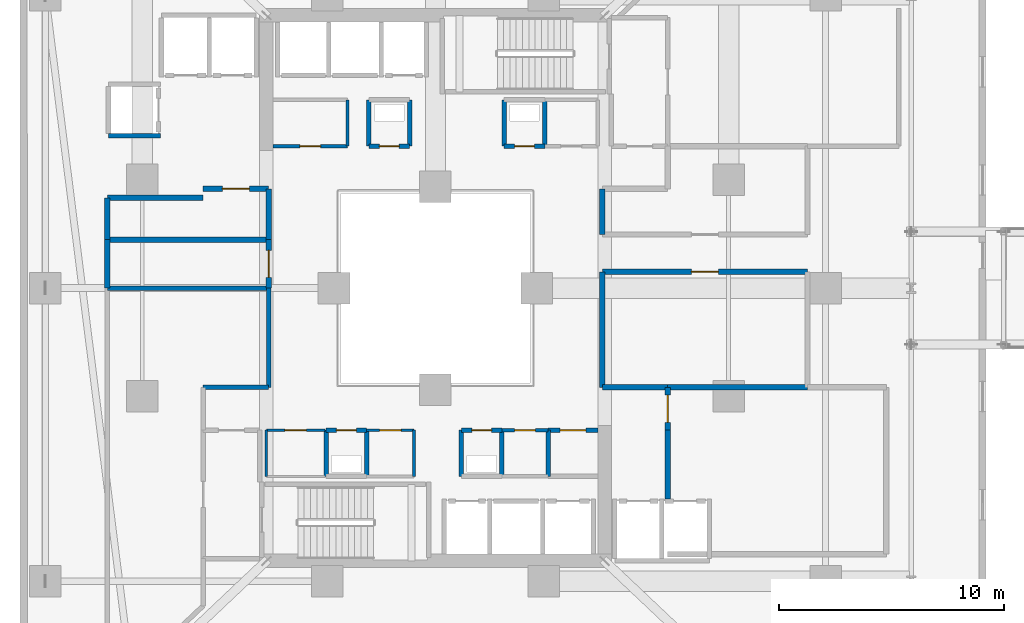
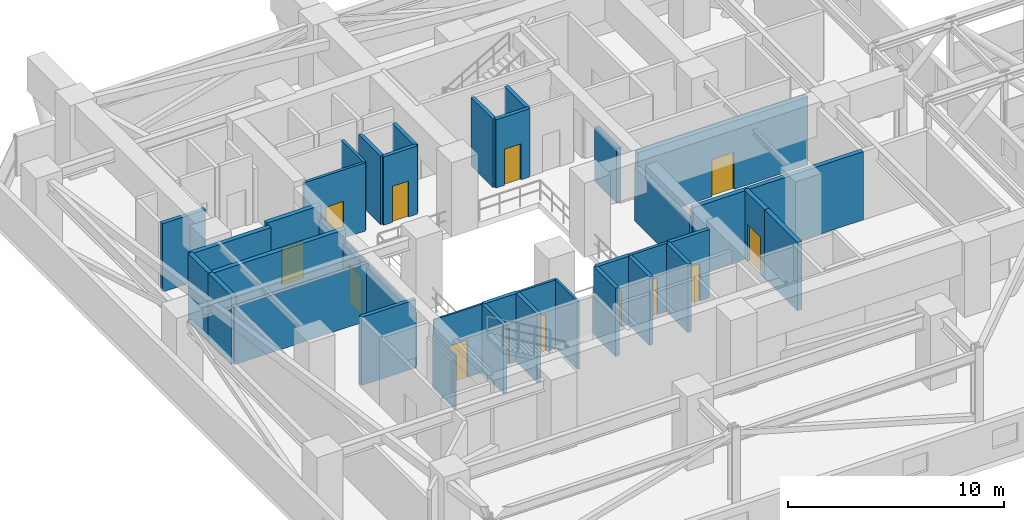
# One storey, part 30 of 38: 39 walls, 13 doors, 13 openings.
"""IFC4 building model written with IfcOpenShell, lengths in metres."""

import ifcopenshell
import ifcopenshell.guid

model = None  # the IFC model being written
_history = None  # IfcOwnerHistory: only IFC2X3 demands one
_inside = {}  # id of a spatial element -> (the spatial element, [elements in it])
_under = {}  # id of a project, library or spatial element -> (it, [spatial elements below it])
_declared = {}  # id of a project -> (the project, [libraries it declares])
_typed = {}  # id of a type object -> (the type object, [elements of that type])
_made_of = {}  # id of a material, layer set ... -> (it, [elements and type objects made of it])


def new_model(schema):
    """Start an empty IFC model of exactly this schema.

    Asked for "IFC4X3", IfcOpenShell would pick the latest addendum, in which some entities
    have other attributes; the version numbers below select the first issue.
    IFC2X3 requires an IfcOwnerHistory on every rooted entity: one is made here for all.
    """
    global model, _history
    if schema == "IFC4X3":
        model = ifcopenshell.file(schema_version=(4, 3, 0, 0))
    else:
        model = ifcopenshell.file(schema=schema)
    _inside.clear()
    _under.clear()
    _declared.clear()
    _typed.clear()
    _made_of.clear()
    _history = None
    if model.schema == "IFC2X3":
        org = make("IfcOrganization", Name="unknown")
        user = make(
            "IfcPersonAndOrganization",
            ThePerson=make("IfcPerson", FamilyName="unknown"),
            TheOrganization=org,
        )
        app = make(
            "IfcApplication",
            ApplicationDeveloper=org,
            Version="unknown",
            ApplicationFullName="unknown",
            ApplicationIdentifier="unknown",
        )
        _history = make(
            "IfcOwnerHistory",
            OwningUser=user,
            OwningApplication=app,
            ChangeAction="ADDED",
            CreationDate=0,
        )
    return model


def make(cls, **values):
    """One entity of the class cls with the attributes given. An attribute that is None is left unset."""
    return model.create_entity(
        cls, **{name: value for name, value in values.items() if value is not None}
    )


def rooted(cls, **values):
    """An entity with a GlobalId (a new one), such as an element, a storey or a relation."""
    return make(cls, GlobalId=ifcopenshell.guid.new(), OwnerHistory=_history, **values)


def si_unit(unit_type, name, prefix=None):
    """IfcSIUnit, for example si_unit("LENGTHUNIT", "METRE", prefix="MILLI")."""
    return make("IfcSIUnit", UnitType=unit_type, Prefix=prefix, Name=name)


def assignment(units):
    """IfcUnitAssignment: the units of a project."""
    return None if units is None else make("IfcUnitAssignment", Units=units)


def point(xyz):
    """IfcCartesianPoint."""
    return None if xyz is None else make("IfcCartesianPoint", Coordinates=xyz)


def direction(xyz):
    """IfcDirection."""
    return None if xyz is None else make("IfcDirection", DirectionRatios=xyz)


def frame(location, z_axis=None, x_axis=None):
    """IfcAxis2Placement3D, a coordinate frame: its origin and axes. An axis left out is left unset."""
    return make(
        "IfcAxis2Placement3D",
        Location=point(location),
        Axis=direction(z_axis),
        RefDirection=direction(x_axis),
    )


def frame_2d(location, x_axis=None):
    """IfcAxis2Placement2D, a coordinate frame in the plane: its origin and x axis."""
    return make(
        "IfcAxis2Placement2D", Location=point(location), RefDirection=direction(x_axis)
    )


def origin():
    """The frame at (0, 0, 0) with its axes left unset."""
    return frame((0.0, 0.0, 0.0))


def place(relative_to, where):
    """IfcLocalPlacement: puts the frame where relative to a parent placement (None: the world)."""
    return make(
        "IfcLocalPlacement", PlacementRelTo=relative_to, RelativePlacement=where
    )


def context(
    kind, dimensions, precision=None, world=None, true_north=None, identifier=None
):
    """IfcGeometricRepresentationContext, for example the 3D "Model" context."""
    return make(
        "IfcGeometricRepresentationContext",
        ContextIdentifier=identifier,
        ContextType=kind,
        CoordinateSpaceDimension=dimensions,
        Precision=precision,
        WorldCoordinateSystem=world,
        TrueNorth=true_north,
    )


def subcontext(parent, identifier, kind, view, scale=None):
    """IfcGeometricRepresentationSubContext, for example "Body" below "Model"."""
    return make(
        "IfcGeometricRepresentationSubContext",
        ContextIdentifier=identifier,
        ContextType=kind,
        ParentContext=parent,
        TargetScale=scale,
        TargetView=view,
    )


def project(units=None, contexts=None):
    """IfcProject with its units and contexts."""
    return rooted(
        "IfcProject",
        Name="project",
        RepresentationContexts=contexts,
        UnitsInContext=assignment(units),
    )


def spatial(cls, under=None, at=None, **own):
    """A site, building, storey or space (cls), placed at a placement, below another one or the project."""
    s = rooted(cls, ObjectPlacement=at, **own)
    if under is not None:
        _under.setdefault(under.id(), (under, []))[1].append(s)
    return s


def profile(cls, at=None, kind="AREA", **sizes):
    """A parametric profile (cls). Its sizes go by their IFC names, for example OverallWidth=200.0."""
    return make(cls, ProfileType=kind, Position=at, **sizes)


def rectangle(**sizes):
    """IfcRectangleProfileDef."""
    return profile("IfcRectangleProfileDef", **sizes)


def extrude(swept, where, along, depth):
    """IfcExtrudedAreaSolid: the profile swept, set in the frame where, extruded along a direction by depth."""
    return make(
        "IfcExtrudedAreaSolid",
        SweptArea=swept,
        Position=where,
        ExtrudedDirection=direction(along),
        Depth=depth,
    )


def shape(context_of_items, identifier, shape_type, items):
    """IfcShapeRepresentation: the items that make up one representation, for example the "Body"."""
    return make(
        "IfcShapeRepresentation",
        ContextOfItems=context_of_items,
        RepresentationIdentifier=identifier,
        RepresentationType=shape_type,
        Items=items,
    )


def material(Name=None, Category=None):
    """IfcMaterial."""
    return make("IfcMaterial", Name=Name, Category=Category)


def layer(
    of_material, thickness, ventilated=None, Name=None, Category=None, Priority=None
):
    """IfcMaterialLayer: one layer of a wall or slab, of a material (None: an air gap)."""
    return make(
        "IfcMaterialLayer",
        Material=of_material,
        LayerThickness=thickness,
        IsVentilated=ventilated,
        Name=Name,
        Category=Category,
        Priority=Priority,
    )


def layer_set(layers, Name=None):
    """IfcMaterialLayerSet."""
    return make("IfcMaterialLayerSet", MaterialLayers=layers, LayerSetName=Name)


def made_of(thing, what):
    """Note that an element or type object is made of a material, layer set ...; save() writes the relation."""
    if what is not None:
        _made_of.setdefault(what.id(), (what, []))[1].append(thing)
    return thing


def type_object(cls, material=None, **own):
    """A type object (cls), such as IfcWallType, which elements share."""
    return made_of(rooted(cls, **own), material)


def element(
    cls,
    number,
    at=None,
    inside=None,
    cuts=None,
    type_object=None,
    material=None,
    context=None,
    identifier="Body",
    shape_type=None,
    held_by="IfcProductDefinitionShape",
    body=None,
    shapes=None,
    **own,
):
    """One element of the class cls, such as IfcWall. Its Tag is "e" and its number.

    at: its placement. inside: the storey or other place that contains it. cuts: it is an
    opening in that element (IfcRelVoidsElement). A single representation is given by context,
    identifier, shape_type and body (its items); several are given by shapes. held_by: the class
    of the entity that holds the representations. save() writes the other relations.
    """
    e = rooted(cls, Tag="e%d" % number, ObjectPlacement=at, **own)
    if body is not None:
        shapes = [shape(context, identifier, shape_type, body)]
    if shapes is not None:
        e.Representation = make(held_by, Representations=shapes)
    if inside is not None:
        _inside.setdefault(inside.id(), (inside, []))[1].append(e)
    if cuts is not None:
        rooted(
            "IfcRelVoidsElement", RelatingBuildingElement=cuts, RelatedOpeningElement=e
        )
    if type_object is not None:
        _typed.setdefault(type_object.id(), (type_object, []))[1].append(e)
    return made_of(e, material)


def fill(opening, filler):
    """IfcRelFillsElement: the door or window that sits in an opening."""
    return rooted(
        "IfcRelFillsElement",
        RelatingOpeningElement=opening,
        RelatedBuildingElement=filler,
    )


def aggregate(whole, parts):
    """IfcRelAggregates: a whole, such as a stair, and the parts it consists of."""
    return rooted("IfcRelAggregates", RelatingObject=whole, RelatedObjects=parts)


def save(model, path):
    """Write the relations noted so far, then the file.

    IfcRelAggregates (storeys below a building ...), IfcRelContainedInSpatialStructure (elements
    in a storey), IfcRelDefinesByType, IfcRelAssociatesMaterial and IfcRelDeclares: one each for
    every whole, place, type object, material and project.
    """
    for whole, parts in _under.values():
        aggregate(whole, parts)
    for where, things in _inside.values():
        rooted(
            "IfcRelContainedInSpatialStructure",
            RelatedElements=things,
            RelatingStructure=where,
        )
    for kind, things in _typed.values():
        rooted("IfcRelDefinesByType", RelatedObjects=things, RelatingType=kind)
    for what, things in _made_of.values():
        rooted("IfcRelAssociatesMaterial", RelatedObjects=things, RelatingMaterial=what)
    for by, libraries in _declared.values():
        rooted("IfcRelDeclares", RelatingContext=by, RelatedDefinitions=libraries)
    model.write(path)


model = new_model("IFC4")

# Units and contexts
model_context = context("Model", 3, precision=1e-05, world=origin(), true_north=direction((0.0, 1.0)))
body_context = subcontext(model_context, "Body", "Model", "MODEL_VIEW")
ifc_project = project(units=[si_unit("LENGTHUNIT", "METRE"), si_unit("AREAUNIT", "SQUARE_METRE"), si_unit("VOLUMEUNIT", "CUBIC_METRE"), si_unit("PLANEANGLEUNIT", "RADIAN"), si_unit("MASSUNIT", "GRAM", prefix="KILO")], contexts=[model_context])

# Site, building, storey
site_placement = place(None, origin())
site = spatial("IfcSite", under=ifc_project, at=site_placement, CompositionType="ELEMENT")
building_placement = place(site_placement, origin())
building = spatial("IfcBuilding", under=site, at=building_placement, Name="Thornwick Lancets Civic Towers", CompositionType="ELEMENT")
storey_placement = place(building_placement, frame((0.0, 0.0, 71.699951171875)))
storey = spatial("IfcBuildingStorey", under=building, at=storey_placement, Name="L18", CompositionType="ELEMENT", Elevation=71.699951171875)

# Walls
ifc_material_1 = material(Name="Concrete blockwork C40/50", Category="masonry")
ifc_layer_1 = layer(ifc_material_1, 0.199951171875, Name="Concrete blockwork C40/50")
ifc_layer_set_1 = layer_set([ifc_layer_1], Name="Concrete blockwork C40/50")
wall_type_1 = type_object("IfcWallType", Name="WALL_COMP_200", PredefinedType="STANDARD", material=ifc_layer_set_1)
wall_1_placement = place(storey_placement, frame((11.001953125, 33.75, 0.0), z_axis=(0.0, 0.0, 1.0), x_axis=(1.0, 0.0, 0.0)))
element("IfcWall", 1, at=wall_1_placement, inside=storey, type_object=wall_type_1, Name="L18 Hoistway Shaft Wall PL-AM3 S", PredefinedType="STANDARD", context=body_context, shape_type="SweptSolid", body=[
    extrude(rectangle(XDim=2.296142578125, YDim=0.199951171875, at=frame_2d((1.14794921875, 0.0))), origin(), (0.0, 0.0, 1.0), 3.860107421875),
])
wall_2_placement = place(storey_placement, frame((28.449951171875, 18.64990234375, 0.0), z_axis=(0.0, 0.0, 1.0), x_axis=(0.0, 1.0, 0.0)))
element("IfcWall", 2, at=wall_2_placement, inside=storey, type_object=wall_type_1, Name="L18 Partition L18-A-DUCT1 E2", PredefinedType="STANDARD", context=body_context, shape_type="SweptSolid", body=[
    extrude(rectangle(XDim=2.050048828125, YDim=0.199951171875, at=frame_2d((1.02490234375, 0.0))), origin(), (0.0, 0.0, 1.0), 3.860107421875),
])

# Wall, opening, door
wall_3_placement = place(storey_placement, frame((28.449951171875, 20.699951171875, 0.0), z_axis=(0.0, 0.0, 1.0), x_axis=(-1.0, 0.0, 0.0)))
wall_3 = element("IfcWall", 3, at=wall_3_placement, inside=storey, type_object=wall_type_1, Name="L18 Partition L18-A-DUCT1 E3", PredefinedType="STANDARD", context=body_context, shape_type="SweptSolid", body=[
    extrude(rectangle(XDim=1.800048828125, YDim=0.199951171875, at=frame_2d((0.89990234375, 0.0))), origin(), (0.0, 0.0, 1.0), 3.860107421875),
])
opening_1_placement = place(wall_3_placement, frame((0.4599609375, 0.0, 0.0)))
opening_1 = element("IfcOpeningElement", 4, at=opening_1_placement, cuts=wall_3, Name="Opening D-L18-0851", PredefinedType="OPENING", context=body_context, shape_type="SweptSolid", body=[
    extrude(rectangle(XDim=0.8798828125, YDim=2.0400390625, at=frame_2d((0.43994140625, 1.02001953125))), frame((0.0, 0.10986328125, 0.0), z_axis=(0.0, -1.0, 0.0), x_axis=(1.0, 0.0, 0.0)), (0.0, 0.0, 1.0), 0.219970703125),
])
ifc_material_2 = material(Name="Steel riser access doorset", Category="steel")
door_type_1 = type_object("IfcDoorType", Name="DOOR_RISER_850", OperationType="NOTDEFINED", PredefinedType="DOOR", material=ifc_material_2)
door_1_placement = place(opening_1_placement, origin())
door_1 = element("IfcDoor", 5, at=door_1_placement, inside=storey, type_object=door_type_1, Name="L18 South Service Duct 1 Door", OperationType="SINGLE_SWING_RIGHT", OverallHeight=2.0400390625, OverallWidth=0.8798828125, PredefinedType="DOOR", context=body_context, shape_type="SweptSolid", body=[
    extrude(rectangle(XDim=0.8798828125, YDim=2.0400390625, at=frame_2d((0.43994140625, 1.02001953125))), frame((0.0, 0.02490234375, 0.0), z_axis=(0.0, -1.0, 0.0), x_axis=(1.0, 0.0, 0.0)), (0.0, 0.0, 1.0), 0.050048828125),
])
fill(opening_1, door_1)

# Walls
for number, where, z_axis, x_axis, name in (
    (6, (26.64990234375, 20.699951171875, 0.0), (0.0, 0.0, 1.0), (0.0, -1.0, 0.0), "L18 Partition L18-A-DUCT1 E4"),
    (7, (22.449951171875, 18.64990234375, 0.0), (0.0, 0.0, 1.0), (0.0, 1.0, 0.0), "L18 Partition L18-A-RISER1 E2"),
):
    element("IfcWall", number, at=place(storey_placement, frame(where, z_axis=z_axis, x_axis=x_axis)), inside=storey, type_object=wall_type_1, Name=name, PredefinedType="STANDARD", context=body_context, shape_type="SweptSolid", body=[
        extrude(rectangle(XDim=2.050048828125, YDim=0.199951171875, at=frame_2d((1.02490234375, 0.0))), origin(), (0.0, 0.0, 1.0), 3.860107421875),
    ])

# Wall, opening, door
wall_4_placement = place(storey_placement, frame((22.449951171875, 20.699951171875, 0.0), z_axis=(0.0, 0.0, 1.0), x_axis=(-1.0, 0.0, 0.0)))
wall_4 = element("IfcWall", 8, at=wall_4_placement, inside=storey, type_object=wall_type_1, Name="L18 Partition L18-A-RISER1 E3", PredefinedType="STANDARD", context=body_context, shape_type="SweptSolid", body=[
    extrude(rectangle(XDim=1.800048828125, YDim=0.199951171875, at=frame_2d((0.89990234375, 0.0))), origin(), (0.0, 0.0, 1.0), 3.860107421875),
])
opening_2_placement = place(wall_4_placement, frame((0.4599609375, 0.0, 0.0)))
opening_2 = element("IfcOpeningElement", 9, at=opening_2_placement, cuts=wall_4, Name="Opening D-L18-0852", PredefinedType="OPENING", context=body_context, shape_type="SweptSolid", body=[
    extrude(rectangle(XDim=0.8798828125, YDim=2.0400390625, at=frame_2d((0.43994140625, 1.02001953125))), frame((0.0, 0.10986328125, 0.0), z_axis=(0.0, -1.0, 0.0), x_axis=(1.0, 0.0, 0.0)), (0.0, 0.0, 1.0), 0.219970703125),
])
door_2_placement = place(opening_2_placement, origin())
door_2 = element("IfcDoor", 10, at=door_2_placement, inside=storey, type_object=door_type_1, Name="L18 South Electrical Riser 1 Door", OperationType="SINGLE_SWING_LEFT", OverallHeight=2.0400390625, OverallWidth=0.8798828125, PredefinedType="DOOR", context=body_context, shape_type="SweptSolid", body=[
    extrude(rectangle(XDim=0.8798828125, YDim=2.0400390625, at=frame_2d((0.43994140625, 1.02001953125))), frame((0.0, 0.02490234375, 0.0), z_axis=(0.0, -1.0, 0.0), x_axis=(1.0, 0.0, 0.0)), (0.0, 0.0, 1.0), 0.050048828125),
])
fill(opening_2, door_2)

# Wall
wall_5_placement = place(storey_placement, frame((20.64990234375, 20.699951171875, 0.0), z_axis=(0.0, 0.0, 1.0), x_axis=(0.0, -1.0, 0.0)))
element("IfcWall", 11, at=wall_5_placement, inside=storey, type_object=wall_type_1, Name="L18 Partition L18-A-RISER1 E4", PredefinedType="STANDARD", context=body_context, shape_type="SweptSolid", body=[
    extrude(rectangle(XDim=2.050048828125, YDim=0.199951171875, at=frame_2d((1.02490234375, 0.0))), origin(), (0.0, 0.0, 1.0), 3.860107421875),
])

# Wall, opening, door
wall_6_placement = place(storey_placement, frame((22.550048828125, 33.300048828125, 0.0), z_axis=(0.0, 0.0, 1.0), x_axis=(1.0, 0.0, 0.0)))
wall_6 = element("IfcWall", 12, at=wall_6_placement, inside=storey, type_object=wall_type_1, Name="L18 Partition L18-A-DUCT2 E1", PredefinedType="STANDARD", context=body_context, shape_type="SweptSolid", body=[
    extrude(rectangle(XDim=1.800048828125, YDim=0.199951171875, at=frame_2d((0.89990234375, 0.0))), origin(), (0.0, 0.0, 1.0), 3.860107421875),
])
opening_3_placement = place(wall_6_placement, frame((0.4599609375, 0.0, 0.0)))
opening_3 = element("IfcOpeningElement", 13, at=opening_3_placement, cuts=wall_6, Name="Opening D-L18-0853", PredefinedType="OPENING", context=body_context, shape_type="SweptSolid", body=[
    extrude(rectangle(XDim=0.8798828125, YDim=2.0400390625, at=frame_2d((0.43994140625, 1.02001953125))), frame((0.0, 0.10986328125, 0.0), z_axis=(0.0, -1.0, 0.0), x_axis=(1.0, 0.0, 0.0)), (0.0, 0.0, 1.0), 0.219970703125),
])
door_3_placement = place(opening_3_placement, origin())
door_3 = element("IfcDoor", 14, at=door_3_placement, inside=storey, type_object=door_type_1, Name="L18 North Service Duct 2 Door", OperationType="SINGLE_SWING_RIGHT", OverallHeight=2.0400390625, OverallWidth=0.8798828125, PredefinedType="DOOR", context=body_context, shape_type="SweptSolid", body=[
    extrude(rectangle(XDim=0.8798828125, YDim=2.0400390625, at=frame_2d((0.43994140625, 1.02001953125))), frame((0.0, 0.02490234375, 0.0), z_axis=(0.0, -1.0, 0.0), x_axis=(1.0, 0.0, 0.0)), (0.0, 0.0, 1.0), 0.050048828125),
])
fill(opening_3, door_3)

# Walls
for number, where, z_axis, x_axis, name in (
    (15, (24.35009765625, 33.300048828125, 0.0), (0.0, 0.0, 1.0), (0.0, 1.0, 0.0), "L18 Partition L18-A-DUCT2 E2"),
    (16, (22.550048828125, 35.35009765625, 0.0), (0.0, 0.0, 1.0), (0.0, -1.0, 0.0), "L18 Partition L18-A-DUCT2 E4"),
):
    element("IfcWall", number, at=place(storey_placement, frame(where, z_axis=z_axis, x_axis=x_axis)), inside=storey, type_object=wall_type_1, Name=name, PredefinedType="STANDARD", context=body_context, shape_type="SweptSolid", body=[
        extrude(rectangle(XDim=2.050048828125, YDim=0.199951171875, at=frame_2d((1.02490234375, 0.0))), origin(), (0.0, 0.0, 1.0), 3.860107421875),
    ])

# Wall, opening, door
wall_7_placement = place(storey_placement, frame((28.550048828125, 33.300048828125, 0.0), z_axis=(0.0, 0.0, 1.0), x_axis=(1.0, 0.0, 0.0)))
wall_7 = element("IfcWall", 17, at=wall_7_placement, inside=storey, type_object=wall_type_1, Name="L18 Partition L18-A-RISER2 E1", PredefinedType="STANDARD", context=body_context, shape_type="SweptSolid", body=[
    extrude(rectangle(XDim=1.800048828125, YDim=0.199951171875, at=frame_2d((0.89990234375, 0.0))), origin(), (0.0, 0.0, 1.0), 3.860107421875),
])
opening_4_placement = place(wall_7_placement, frame((0.4599609375, 0.0, 0.0)))
opening_4 = element("IfcOpeningElement", 18, at=opening_4_placement, cuts=wall_7, Name="Opening D-L18-0854", PredefinedType="OPENING", context=body_context, shape_type="SweptSolid", body=[
    extrude(rectangle(XDim=0.8798828125, YDim=2.0400390625, at=frame_2d((0.43994140625, 1.02001953125))), frame((0.0, 0.10986328125, 0.0), z_axis=(0.0, -1.0, 0.0), x_axis=(1.0, 0.0, 0.0)), (0.0, 0.0, 1.0), 0.219970703125),
])
door_4_placement = place(opening_4_placement, origin())
door_4 = element("IfcDoor", 19, at=door_4_placement, inside=storey, type_object=door_type_1, Name="L18 North Service Riser 2 Door", OperationType="SINGLE_SWING_LEFT", OverallHeight=2.0400390625, OverallWidth=0.8798828125, PredefinedType="DOOR", context=body_context, shape_type="SweptSolid", body=[
    extrude(rectangle(XDim=0.8798828125, YDim=2.0400390625, at=frame_2d((0.43994140625, 1.02001953125))), frame((0.0, 0.02490234375, 0.0), z_axis=(0.0, -1.0, 0.0), x_axis=(1.0, 0.0, 0.0)), (0.0, 0.0, 1.0), 0.050048828125),
])
fill(opening_4, door_4)

# Walls
for number, where, z_axis, x_axis, name in (
    (20, (30.35009765625, 33.300048828125, 0.0), (0.0, 0.0, 1.0), (0.0, 1.0, 0.0), "L18 Partition L18-A-RISER2 E2"),
    (21, (28.550048828125, 35.35009765625, 0.0), (0.0, 0.0, 1.0), (0.0, -1.0, 0.0), "L18 Partition L18-A-RISER2 E4"),
    (22, (30.5, 18.64990234375, 0.0), (0.0, 0.0, 1.0), (0.0, 1.0, 0.0), "L18 Partition L18-A-STR2 E3"),
):
    element("IfcWall", number, at=place(storey_placement, frame(where, z_axis=z_axis, x_axis=x_axis)), inside=storey, type_object=wall_type_1, Name=name, PredefinedType="STANDARD", context=body_context, shape_type="SweptSolid", body=[
        extrude(rectangle(XDim=2.050048828125, YDim=0.199951171875, at=frame_2d((1.02490234375, 0.0))), origin(), (0.0, 0.0, 1.0), 3.860107421875),
    ])

# Wall, opening, door
wall_8_placement = place(storey_placement, frame((30.5, 20.699951171875, 0.0), z_axis=(0.0, 0.0, 1.0), x_axis=(1.0, 0.0, 0.0)))
wall_8 = element("IfcWall", 23, at=wall_8_placement, inside=storey, type_object=wall_type_1, Name="L18 Partition L18-A-STR2 E4", PredefinedType="STANDARD", context=body_context, shape_type="SweptSolid", body=[
    extrude(rectangle(XDim=2.199951171875, YDim=0.199951171875, at=frame_2d((1.10009765625, 0.0))), origin(), (0.0, 0.0, 1.0), 3.860107421875),
])
opening_5_placement = place(wall_8_placement, frame((0.52490234375, 0.0, 0.0)))
opening_5 = element("IfcOpeningElement", 24, at=opening_5_placement, cuts=wall_8, Name="Opening D-L18-0858", PredefinedType="OPENING", context=body_context, shape_type="SweptSolid", body=[
    extrude(rectangle(XDim=1.14990234375, YDim=2.10009765625, at=frame_2d((0.574951171875, 1.050048828125))), frame((0.0, 0.10986328125, 0.0), z_axis=(0.0, -1.0, 0.0), x_axis=(1.0, 0.0, 0.0)), (0.0, 0.0, 1.0), 0.219970703125),
])
ifc_material_3 = material(Name="Glazed fire-resisting steel", Category="steel")
door_type_2 = type_object("IfcDoorType", Name="DOOR_LOBBY_FD60", OperationType="NOTDEFINED", PredefinedType="DOOR", material=ifc_material_3)
door_5_placement = place(opening_5_placement, origin())
door_5 = element("IfcDoor", 25, at=door_5_placement, inside=storey, type_object=door_type_2, Name="L18 Tower A Core Supplies Store Door", OperationType="SINGLE_SWING_LEFT", OverallHeight=2.10009765625, OverallWidth=1.14990234375, PredefinedType="DOOR", context=body_context, shape_type="SweptSolid", body=[
    extrude(rectangle(XDim=1.14990234375, YDim=2.10009765625, at=frame_2d((0.574951171875, 1.050048828125))), frame((0.0, 0.02490234375, 0.0), z_axis=(0.0, -1.0, 0.0), x_axis=(1.0, 0.0, 0.0)), (0.0, 0.0, 1.0), 0.050048828125),
])
fill(opening_5, door_5)

# Walls
wall_9_placement = place(storey_placement, frame((18.10009765625, 22.60009765625, 0.0), z_axis=(0.0, 0.0, 1.0), x_axis=(-1.0, 0.0, 0.0)))
element("IfcWall", 26, at=wall_9_placement, inside=storey, type_object=wall_type_1, Name="L18 Partition L18-A-REF1 E1", PredefinedType="STANDARD", context=body_context, shape_type="SweptSolid", body=[
    extrude(rectangle(XDim=2.900146484375, YDim=0.199951171875, at=frame_2d((1.4501953125, 0.0))), origin(), (0.0, 0.0, 1.0), 3.860107421875),
])
wall_10_placement = place(storey_placement, frame((10.949951171875, 27.0, 0.0), z_axis=(0.0, 0.0, 1.0), x_axis=(1.0, 0.0, 0.0)))
element("IfcWall", 27, at=wall_10_placement, inside=storey, type_object=wall_type_1, Name="L18 Partition L18-A-REF1 E7", PredefinedType="STANDARD", context=body_context, shape_type="SweptSolid", body=[
    extrude(rectangle(XDim=7.150146484375, YDim=0.199951171875, at=frame_2d((3.5751953125, 0.0))), origin(), (0.0, 0.0, 1.0), 3.244873046875),
])
wall_11_placement = place(storey_placement, frame((18.10009765625, 27.0, 0.0), z_axis=(0.0, 0.0, 1.0), x_axis=(0.0, -1.0, 0.0)))
element("IfcWall", 28, at=wall_11_placement, inside=storey, type_object=wall_type_1, Name="L18 Partition L18-A-REF1 E8", PredefinedType="STANDARD", context=body_context, shape_type="SweptSolid", body=[
    extrude(rectangle(XDim=4.39990234375, YDim=0.199951171875, at=frame_2d((2.199951171875, 0.0))), origin(), (0.0, 0.0, 1.0), 3.06494140625),
])

# Wall, opening, door
ifc_layer_2 = layer(ifc_material_1, 0.239990234375, Name="Concrete blockwork C40/50")
ifc_layer_set_2 = layer_set([ifc_layer_2], Name="Concrete blockwork C40/50")
wall_type_2 = type_object("IfcWallType", Name="WALL_COMP_240", PredefinedType="STANDARD", material=ifc_layer_set_2)
wall_12_placement = place(storey_placement, frame((32.89990234375, 27.719970703125, 0.0), z_axis=(0.0, 0.0, 1.0), x_axis=(1.0, 0.0, 0.0)))
wall_12 = element("IfcWall", 29, at=wall_12_placement, inside=storey, type_object=wall_type_2, Name="L18 Partition L18-A-PL-SMK E1", PredefinedType="STANDARD", context=body_context, shape_type="SweptSolid", body=[
    extrude(rectangle(XDim=9.10009765625, YDim=0.239990234375, at=frame_2d((4.550048828125, 0.0))), origin(), (0.0, 0.0, 1.0), 3.860107421875),
])
opening_6_placement = place(wall_12_placement, frame((3.949951171875, 0.0, 0.0)))
opening_6 = element("IfcOpeningElement", 30, at=opening_6_placement, cuts=wall_12, Name="Opening D-L18-0873", PredefinedType="OPENING", context=body_context, shape_type="SweptSolid", body=[
    extrude(rectangle(XDim=1.199951171875, YDim=2.10009765625, at=frame_2d((0.60009765625, 1.050048828125))), frame((0.0, 0.1298828125, 0.0), z_axis=(0.0, -1.0, 0.0), x_axis=(1.0, 0.0, 0.0)), (0.0, 0.0, 1.0), 0.260009765625),
])
ifc_material_4 = material(Name="Steel plant room doorset", Category="steel")
door_type_3 = type_object("IfcDoorType", Name="DOOR_PLANT_1200", OperationType="NOTDEFINED", PredefinedType="DOOR", material=ifc_material_4)
door_6_placement = place(opening_6_placement, origin())
door_6 = element("IfcDoor", 31, at=door_6_placement, inside=storey, type_object=door_type_3, Name="L18 Tower A Smoke Extract Fan Plant Room Door", OperationType="SINGLE_SWING_RIGHT", OverallHeight=2.10009765625, OverallWidth=1.199951171875, PredefinedType="DOOR", context=body_context, shape_type="SweptSolid", body=[
    extrude(rectangle(XDim=1.199951171875, YDim=2.10009765625, at=frame_2d((0.60009765625, 1.050048828125))), frame((0.0, 0.02490234375, 0.0), z_axis=(0.0, -1.0, 0.0), x_axis=(1.0, 0.0, 0.0)), (0.0, 0.0, 1.0), 0.050048828125),
])
fill(opening_6, door_6)

# Walls
wall_13_placement = place(storey_placement, frame((42.0, 22.60009765625, 0.0), z_axis=(0.0, 0.0, 1.0), x_axis=(-1.0, 0.0, 0.0)))
element("IfcWall", 32, at=wall_13_placement, inside=storey, type_object=wall_type_2, Name="L18 Partition L18-A-PL-SMK E3", PredefinedType="STANDARD", context=body_context, shape_type="SweptSolid", body=[
    extrude(rectangle(XDim=6.199951171875, YDim=0.239990234375, at=frame_2d((3.10009765625, 0.0))), origin(), (0.0, 0.0, 1.0), 3.860107421875),
])
wall_14_placement = place(storey_placement, frame((35.800048828125, 22.60009765625, 0.0), z_axis=(0.0, 0.0, 1.0), x_axis=(-1.0, 0.0, 0.0)))
element("IfcWall", 33, at=wall_14_placement, inside=storey, type_object=wall_type_2, Name="L18 Partition L18-A-PL-SMK E4", PredefinedType="STANDARD", context=body_context, shape_type="SweptSolid", body=[
    extrude(rectangle(XDim=2.900146484375, YDim=0.239990234375, at=frame_2d((1.4501953125, 0.0))), origin(), (0.0, 0.0, 1.0), 3.860107421875),
])
wall_15_placement = place(storey_placement, frame((32.89990234375, 22.60009765625, 0.0), z_axis=(0.0, 0.0, 1.0), x_axis=(0.0, 1.0, 0.0)))
element("IfcWall", 34, at=wall_15_placement, inside=storey, type_object=wall_type_2, Name="L18 Partition L18-A-PL-SMK E5", PredefinedType="STANDARD", context=body_context, shape_type="SweptSolid", body=[
    extrude(rectangle(XDim=5.119873046875, YDim=0.239990234375, at=frame_2d((2.56005859375, 0.0))), origin(), (0.0, 0.0, 1.0), 3.06494140625),
])
wall_16_placement = place(storey_placement, frame((32.89990234375, 29.3798828125, 0.0), z_axis=(0.0, 0.0, 1.0), x_axis=(0.0, 1.0, 0.0)))
element("IfcWall", 35, at=wall_16_placement, inside=storey, type_object=wall_type_2, Name="L18 Partition L18-A-PL-PRS E6", PredefinedType="STANDARD", context=body_context, shape_type="SweptSolid", body=[
    extrude(rectangle(XDim=2.02001953125, YDim=0.239990234375, at=frame_2d((1.010009765625, 0.0))), origin(), (0.0, 0.0, 1.0), 3.06494140625),
])
wall_17_placement = place(storey_placement, frame((10.949951171875, 27.0, 0.0), z_axis=(0.0, 0.0, 1.0), x_axis=(0.0, 1.0, 0.0)))
element("IfcWall", 36, at=wall_17_placement, inside=storey, type_object=wall_type_2, Name="L18 Partition L18-A-PL-AHU E2", PredefinedType="STANDARD", context=body_context, shape_type="SweptSolid", body=[
    extrude(rectangle(XDim=2.14990234375, YDim=0.239990234375, at=frame_2d((1.074951171875, 0.0))), origin(), (0.0, 0.0, 1.0), 3.860107421875),
])
wall_18_placement = place(storey_placement, frame((10.949951171875, 29.14990234375, 0.0), z_axis=(0.0, 0.0, 1.0), x_axis=(1.0, 0.0, 0.0)))
element("IfcWall", 37, at=wall_18_placement, inside=storey, type_object=wall_type_2, Name="L18 Partition L18-A-PL-AHU E3", PredefinedType="STANDARD", context=body_context, shape_type="SweptSolid", body=[
    extrude(rectangle(XDim=7.150146484375, YDim=0.239990234375, at=frame_2d((3.5751953125, 0.0))), origin(), (0.0, 0.0, 1.0), 3.860107421875),
])

# Wall, opening, door
wall_19_placement = place(storey_placement, frame((18.10009765625, 29.14990234375, 0.0), z_axis=(0.0, 0.0, 1.0), x_axis=(0.0, -1.0, 0.0)))
wall_19 = element("IfcWall", 38, at=wall_19_placement, inside=storey, type_object=wall_type_2, Name="L18 Partition L18-A-PL-AHU E4", PredefinedType="STANDARD", context=body_context, shape_type="SweptSolid", body=[
    extrude(rectangle(XDim=2.14990234375, YDim=0.239990234375, at=frame_2d((1.074951171875, 0.0))), origin(), (0.0, 0.0, 1.0), 3.06494140625),
])
opening_7_placement = place(wall_19_placement, frame((0.47509765625, 0.0, 0.0)))
opening_7 = element("IfcOpeningElement", 39, at=opening_7_placement, cuts=wall_19, Name="Opening D-L18-0877", PredefinedType="OPENING", context=body_context, shape_type="SweptSolid", body=[
    extrude(rectangle(XDim=1.199951171875, YDim=2.10009765625, at=frame_2d((0.60009765625, 1.050048828125))), frame((0.0, 0.1298828125, 0.0), z_axis=(0.0, -1.0, 0.0), x_axis=(1.0, 0.0, 0.0)), (0.0, 0.0, 1.0), 0.260009765625),
])
door_7_placement = place(opening_7_placement, origin())
door_7 = element("IfcDoor", 40, at=door_7_placement, inside=storey, type_object=door_type_3, Name="L18 Tower A AHU and Ventilation Plant Room Door", OperationType="SINGLE_SWING_RIGHT", OverallHeight=2.10009765625, OverallWidth=1.199951171875, PredefinedType="DOOR", context=body_context, shape_type="SweptSolid", body=[
    extrude(rectangle(XDim=1.199951171875, YDim=2.10009765625, at=frame_2d((0.60009765625, 1.050048828125))), frame((0.0, 0.02490234375, 0.0), z_axis=(0.0, -1.0, 0.0), x_axis=(1.0, 0.0, 0.0)), (0.0, 0.0, 1.0), 0.050048828125),
])
fill(opening_7, door_7)

wall_20_placement = place(storey_placement, frame((15.199951171875, 31.39990234375, 0.0), z_axis=(0.0, 0.0, 1.0), x_axis=(1.0, 0.0, 0.0)))
wall_20 = element("IfcWall", 41, at=wall_20_placement, inside=storey, type_object=wall_type_2, Name="L18 Partition L18-A-PL-ELC E1", PredefinedType="STANDARD", context=body_context, shape_type="SweptSolid", body=[
    extrude(rectangle(XDim=2.900146484375, YDim=0.239990234375, at=frame_2d((1.4501953125, 0.0))), origin(), (0.0, 0.0, 1.0), 3.860107421875),
])
opening_8_placement = place(wall_20_placement, frame((0.85009765625, 0.0, 0.0)))
opening_8 = element("IfcOpeningElement", 42, at=opening_8_placement, cuts=wall_20, Name="Opening D-L18-0878", PredefinedType="OPENING", context=body_context, shape_type="SweptSolid", body=[
    extrude(rectangle(XDim=1.199951171875, YDim=2.10009765625, at=frame_2d((0.60009765625, 1.050048828125))), frame((0.0, 0.1298828125, 0.0), z_axis=(0.0, -1.0, 0.0), x_axis=(1.0, 0.0, 0.0)), (0.0, 0.0, 1.0), 0.260009765625),
])
door_8_placement = place(opening_8_placement, origin())
door_8 = element("IfcDoor", 43, at=door_8_placement, inside=storey, type_object=door_type_3, Name="L18 Tower A LV Switchgear Room Door", OperationType="SINGLE_SWING_LEFT", OverallHeight=2.10009765625, OverallWidth=1.199951171875, PredefinedType="DOOR", context=body_context, shape_type="SweptSolid", body=[
    extrude(rectangle(XDim=1.199951171875, YDim=2.10009765625, at=frame_2d((0.60009765625, 1.050048828125))), frame((0.0, 0.02490234375, 0.0), z_axis=(0.0, -1.0, 0.0), x_axis=(1.0, 0.0, 0.0)), (0.0, 0.0, 1.0), 0.050048828125),
])
fill(opening_8, door_8)

# Walls
wall_21_placement = place(storey_placement, frame((18.10009765625, 31.39990234375, 0.0), z_axis=(0.0, 0.0, 1.0), x_axis=(0.0, -1.0, 0.0)))
element("IfcWall", 44, at=wall_21_placement, inside=storey, type_object=wall_type_2, Name="L18 Partition L18-A-PL-ELC E2", PredefinedType="STANDARD", context=body_context, shape_type="SweptSolid", body=[
    extrude(rectangle(XDim=2.25, YDim=0.239990234375, at=frame_2d((1.125, 0.0))), origin(), (0.0, 0.0, 1.0), 3.06494140625),
])
wall_22_placement = place(storey_placement, frame((10.949951171875, 29.14990234375, 0.0), z_axis=(0.0, 0.0, 1.0), x_axis=(0.0, 1.0, 0.0)))
element("IfcWall", 45, at=wall_22_placement, inside=storey, type_object=wall_type_2, Name="L18 Partition L18-A-PL-ELC E4", PredefinedType="STANDARD", context=body_context, shape_type="SweptSolid", body=[
    extrude(rectangle(XDim=1.85009765625, YDim=0.239990234375, at=frame_2d((0.925048828125, 0.0))), origin(), (0.0, 0.0, 1.0), 3.860107421875),
])
wall_23_placement = place(storey_placement, frame((10.949951171875, 31.0, 0.0), z_axis=(0.0, 0.0, 1.0), x_axis=(1.0, 0.0, 0.0)))
element("IfcWall", 46, at=wall_23_placement, inside=storey, type_object=wall_type_2, Name="L18 Partition L18-A-PL-ELC E5", PredefinedType="STANDARD", context=body_context, shape_type="SweptSolid", body=[
    extrude(rectangle(XDim=4.25, YDim=0.239990234375, at=frame_2d((2.125, 0.0))), origin(), (0.0, 0.0, 1.0), 3.860107421875),
])

# Wall, opening, door
wall_24_placement = place(storey_placement, frame((35.800048828125, 20.699951171875, 0.0), z_axis=(0.0, 0.0, 1.0), x_axis=(0.0, 1.0, 0.0)))
wall_24 = element("IfcWall", 47, at=wall_24_placement, inside=storey, type_object=wall_type_2, Name="L18 Partition L18-A-PL-CHL E1", PredefinedType="STANDARD", context=body_context, shape_type="SweptSolid", body=[
    extrude(rectangle(XDim=1.900146484375, YDim=0.239990234375, at=frame_2d((0.9501953125, 0.0))), origin(), (0.0, 0.0, 1.0), 3.860107421875),
])
opening_9_placement = place(wall_24_placement, frame((0.35009765625, 0.0, 0.0)))
opening_9 = element("IfcOpeningElement", 48, at=opening_9_placement, cuts=wall_24, Name="Opening D-L18-0879", PredefinedType="OPENING", context=body_context, shape_type="SweptSolid", body=[
    extrude(rectangle(XDim=1.199951171875, YDim=2.10009765625, at=frame_2d((0.60009765625, 1.050048828125))), frame((0.0, 0.1298828125, 0.0), z_axis=(0.0, -1.0, 0.0), x_axis=(1.0, 0.0, 0.0)), (0.0, 0.0, 1.0), 0.260009765625),
])
door_9_placement = place(opening_9_placement, origin())
door_9 = element("IfcDoor", 49, at=door_9_placement, inside=storey, type_object=door_type_3, Name="L18 Tower A Chiller and Heat-Pump Plant Room Door", OperationType="SINGLE_SWING_RIGHT", OverallHeight=2.10009765625, OverallWidth=1.199951171875, PredefinedType="DOOR", context=body_context, shape_type="SweptSolid", body=[
    extrude(rectangle(XDim=1.199951171875, YDim=2.10009765625, at=frame_2d((0.60009765625, 1.050048828125))), frame((0.0, 0.02490234375, 0.0), z_axis=(0.0, -1.0, 0.0), x_axis=(1.0, 0.0, 0.0)), (0.0, 0.0, 1.0), 0.050048828125),
])
fill(opening_9, door_9)

# Wall
wall_25_placement = place(storey_placement, frame((35.800048828125, 17.64794921875, 0.0), z_axis=(0.0, 0.0, 1.0), x_axis=(0.0, 1.0, 0.0)))
element("IfcWall", 50, at=wall_25_placement, inside=storey, type_object=wall_type_2, Name="L18 Partition L18-A-PL-CHL E6", PredefinedType="STANDARD", context=body_context, shape_type="SweptSolid", body=[
    extrude(rectangle(XDim=3.052001953125, YDim=0.239990234375, at=frame_2d((1.52587890625, 0.0))), origin(), (0.0, 0.0, 1.0), 3.860107421875),
])

# Wall, opening, door
ifc_material_5 = material(Name="Lightweight cellular office partition")
ifc_layer_3 = layer(ifc_material_5, 0.10009765625, Name="Lightweight cellular office partition")
ifc_layer_set_3 = layer_set([ifc_layer_3], Name="Lightweight cellular office partition")
wall_type_3 = type_object("IfcWallType", Name="WALL_PART_100", PredefinedType="PARTITIONING", material=ifc_layer_set_3)
wall_26_placement = place(storey_placement, frame((20.60009765625, 20.699951171875, 0.0), z_axis=(0.0, 0.0, 1.0), x_axis=(-1.0, 0.0, 0.0)))
wall_26 = element("IfcWall", 51, at=wall_26_placement, inside=storey, type_object=wall_type_3, Name="L18 Partition L18-A-CLN E3", PredefinedType="PARTITIONING", context=body_context, shape_type="SweptSolid", body=[
    extrude(rectangle(XDim=2.60009765625, YDim=0.10009765625, at=frame_2d((1.300048828125, 0.0))), origin(), (0.0, 0.0, 1.0), 3.860107421875),
])
opening_10_placement = place(wall_26_placement, frame((0.824951171875, 0.0, 0.0)))
opening_10 = element("IfcOpeningElement", 52, at=opening_10_placement, cuts=wall_26, Name="Opening D-L18-0855", PredefinedType="OPENING", context=body_context, shape_type="SweptSolid", body=[
    extrude(rectangle(XDim=0.949951171875, YDim=2.10009765625, at=frame_2d((0.47509765625, 1.050048828125))), frame((0.0, 0.06005859375, 0.0), z_axis=(0.0, -1.0, 0.0), x_axis=(1.0, 0.0, 0.0)), (0.0, 0.0, 1.0), 0.1201171875),
])
ifc_material_6 = material(Name="European oak acoustic doorset")
door_type_4 = type_object("IfcDoorType", Name="DOOR_OFFICE_950", OperationType="NOTDEFINED", PredefinedType="DOOR", material=ifc_material_6)
door_10_placement = place(opening_10_placement, origin())
door_10 = element("IfcDoor", 53, at=door_10_placement, inside=storey, type_object=door_type_4, Name="L18 Tower A Cleaners Store Door", OperationType="SINGLE_SWING_RIGHT", OverallHeight=2.10009765625, OverallWidth=0.949951171875, PredefinedType="DOOR", context=body_context, shape_type="SweptSolid", body=[
    extrude(rectangle(XDim=0.949951171875, YDim=2.10009765625, at=frame_2d((0.47509765625, 1.050048828125))), frame((0.0, 0.02490234375, 0.0), z_axis=(0.0, -1.0, 0.0), x_axis=(1.0, 0.0, 0.0)), (0.0, 0.0, 1.0), 0.050048828125),
])
fill(opening_10, door_10)

# Walls
wall_27_placement = place(storey_placement, frame((18.0, 20.699951171875, 0.0), z_axis=(0.0, 0.0, 1.0), x_axis=(0.0, -1.0, 0.0)))
element("IfcWall", 54, at=wall_27_placement, inside=storey, type_object=wall_type_3, Name="L18 Partition L18-A-CLN E4", PredefinedType="PARTITIONING", context=body_context, shape_type="SweptSolid", body=[
    extrude(rectangle(XDim=2.050048828125, YDim=0.10009765625, at=frame_2d((1.02490234375, 0.0))), origin(), (0.0, 0.0, 1.0), 3.06494140625),
])
ifc_material_7 = material(Name="Acoustic gypsum board partition")
ifc_layer_4 = layer(ifc_material_7, 0.1201171875, Name="Acoustic gypsum board partition")
ifc_layer_set_4 = layer_set([ifc_layer_4], Name="Acoustic gypsum board partition")
wall_type_4 = type_object("IfcWallType", Name="WALL_PART_120", PredefinedType="PARTITIONING", material=ifc_layer_set_4)
wall_28_placement = place(storey_placement, frame((24.550048828125, 20.699951171875, 0.0), z_axis=(0.0, 0.0, 1.0), x_axis=(0.0, -1.0, 0.0)))
element("IfcWall", 55, at=wall_28_placement, inside=storey, type_object=wall_type_4, Name="L18 Partition L18-A-ITR E1", PredefinedType="PARTITIONING", context=body_context, shape_type="SweptSolid", body=[
    extrude(rectangle(XDim=2.050048828125, YDim=0.1201171875, at=frame_2d((1.02490234375, 0.0))), origin(), (0.0, 0.0, 1.0), 3.860107421875),
])

# Wall, opening, door
wall_29_placement = place(storey_placement, frame((22.449951171875, 20.699951171875, 0.0), z_axis=(0.0, 0.0, 1.0), x_axis=(1.0, 0.0, 0.0)))
wall_29 = element("IfcWall", 56, at=wall_29_placement, inside=storey, type_object=wall_type_4, Name="L18 Partition L18-A-ITR E4", PredefinedType="PARTITIONING", context=body_context, shape_type="SweptSolid", body=[
    extrude(rectangle(XDim=2.10009765625, YDim=0.1201171875, at=frame_2d((1.050048828125, 0.0))), origin(), (0.0, 0.0, 1.0), 3.860107421875),
])
opening_11_placement = place(wall_29_placement, frame((0.574951171875, 0.0, 0.0)))
opening_11 = element("IfcOpeningElement", 57, at=opening_11_placement, cuts=wall_29, Name="Opening D-L18-0856", PredefinedType="OPENING", context=body_context, shape_type="SweptSolid", body=[
    extrude(rectangle(XDim=0.949951171875, YDim=2.10009765625, at=frame_2d((0.47509765625, 1.050048828125))), frame((0.0, 0.070068359375, 0.0), z_axis=(0.0, -1.0, 0.0), x_axis=(1.0, 0.0, 0.0)), (0.0, 0.0, 1.0), 0.14013671875),
])
door_11_placement = place(opening_11_placement, origin())
door_11 = element("IfcDoor", 58, at=door_11_placement, inside=storey, type_object=door_type_4, Name="L18 Tower A Comms Patch Room Door", OperationType="SINGLE_SWING_LEFT", OverallHeight=2.10009765625, OverallWidth=0.949951171875, PredefinedType="DOOR", context=body_context, shape_type="SweptSolid", body=[
    extrude(rectangle(XDim=0.949951171875, YDim=2.10009765625, at=frame_2d((0.47509765625, 1.050048828125))), frame((0.0, 0.02490234375, 0.0), z_axis=(0.0, -1.0, 0.0), x_axis=(1.0, 0.0, 0.0)), (0.0, 0.0, 1.0), 0.050048828125),
])
fill(opening_11, door_11)

ifc_material_8 = material(Name="Twin-stud acoustic gypsum board")
ifc_layer_5 = layer(ifc_material_8, 0.14990234375, Name="Twin-stud acoustic gypsum board")
ifc_layer_set_5 = layer_set([ifc_layer_5], Name="Twin-stud acoustic gypsum board")
wall_type_5 = type_object("IfcWallType", Name="WALL_PART_150", PredefinedType="PARTITIONING", material=ifc_layer_set_5)
wall_30_placement = place(storey_placement, frame((28.449951171875, 20.699951171875, 0.0), z_axis=(0.0, 0.0, 1.0), x_axis=(1.0, 0.0, 0.0)))
wall_30 = element("IfcWall", 59, at=wall_30_placement, inside=storey, type_object=wall_type_5, Name="L18 Partition L18-A-AWC E4", PredefinedType="PARTITIONING", context=body_context, shape_type="SweptSolid", body=[
    extrude(rectangle(XDim=2.050048828125, YDim=0.14990234375, at=frame_2d((1.02490234375, 0.0))), origin(), (0.0, 0.0, 1.0), 3.860107421875),
])
opening_12_placement = place(wall_30_placement, frame((0.56494140625, 0.0, 0.0)))
opening_12 = element("IfcOpeningElement", 60, at=opening_12_placement, cuts=wall_30, Name="Opening D-L18-0857", PredefinedType="OPENING", context=body_context, shape_type="SweptSolid", body=[
    extrude(rectangle(XDim=0.919921875, YDim=2.080078125, at=frame_2d((0.4599609375, 1.0400390625))), frame((0.0, 0.0849609375, 0.0), z_axis=(0.0, -1.0, 0.0), x_axis=(1.0, 0.0, 0.0)), (0.0, 0.0, 1.0), 0.169921875),
])
ifc_material_9 = material(Name="Moisture-resistant oak doorset")
door_type_5 = type_object("IfcDoorType", Name="DOOR_WC_900", OperationType="NOTDEFINED", PredefinedType="DOOR", material=ifc_material_9)
door_12_placement = place(opening_12_placement, origin())
door_12 = element("IfcDoor", 61, at=door_12_placement, inside=storey, type_object=door_type_5, Name="L18 Tower A Accessible WC Door", OperationType="SINGLE_SWING_RIGHT", OverallHeight=2.080078125, OverallWidth=0.919921875, PredefinedType="DOOR", context=body_context, shape_type="SweptSolid", body=[
    extrude(rectangle(XDim=0.919921875, YDim=2.080078125, at=frame_2d((0.4599609375, 1.0400390625))), frame((0.0, 0.02490234375, 0.0), z_axis=(0.0, -1.0, 0.0), x_axis=(1.0, 0.0, 0.0)), (0.0, 0.0, 1.0), 0.050048828125),
])
fill(opening_12, door_12)

wall_31_placement = place(storey_placement, frame((18.300048828125, 33.300048828125, 0.0), z_axis=(0.0, 0.0, 1.0), x_axis=(1.0, 0.0, 0.0)))
wall_31 = element("IfcWall", 62, at=wall_31_placement, inside=storey, type_object=wall_type_5, Name="L18 Partition L18-A-MWC E1", PredefinedType="PARTITIONING", context=body_context, shape_type="SweptSolid", body=[
    extrude(rectangle(XDim=3.300048828125, YDim=0.14990234375, at=frame_2d((1.64990234375, 0.0))), origin(), (0.0, 0.0, 1.0), 3.860107421875),
])
opening_13_placement = place(wall_31_placement, frame((1.18994140625, 0.0, 0.0)))
opening_13 = element("IfcOpeningElement", 63, at=opening_13_placement, cuts=wall_31, Name="Opening D-L18-0859", PredefinedType="OPENING", context=body_context, shape_type="SweptSolid", body=[
    extrude(rectangle(XDim=0.919921875, YDim=2.080078125, at=frame_2d((0.4599609375, 1.0400390625))), frame((0.0, 0.0849609375, 0.0), z_axis=(0.0, -1.0, 0.0), x_axis=(1.0, 0.0, 0.0)), (0.0, 0.0, 1.0), 0.169921875),
])
door_13_placement = place(opening_13_placement, origin())
door_13 = element("IfcDoor", 64, at=door_13_placement, inside=storey, type_object=door_type_5, Name="L18 Tower A Male WC Door", OperationType="SINGLE_SWING_RIGHT", OverallHeight=2.080078125, OverallWidth=0.919921875, PredefinedType="DOOR", context=body_context, shape_type="SweptSolid", body=[
    extrude(rectangle(XDim=0.919921875, YDim=2.080078125, at=frame_2d((0.4599609375, 1.0400390625))), frame((0.0, 0.02490234375, 0.0), z_axis=(0.0, -1.0, 0.0), x_axis=(1.0, 0.0, 0.0)), (0.0, 0.0, 1.0), 0.050048828125),
])
fill(opening_13, door_13)

# Wall
wall_32_placement = place(storey_placement, frame((21.60009765625, 33.300048828125, 0.0), z_axis=(0.0, 0.0, 1.0), x_axis=(0.0, 1.0, 0.0)))
element("IfcWall", 65, at=wall_32_placement, inside=storey, type_object=wall_type_5, Name="L18 Partition L18-A-MWC E2", PredefinedType="PARTITIONING", context=body_context, shape_type="SweptSolid", body=[
    extrude(rectangle(XDim=2.050048828125, YDim=0.14990234375, at=frame_2d((1.02490234375, 0.0))), origin(), (0.0, 0.0, 1.0), 3.860107421875),
])

save(model, "model.ifc")
